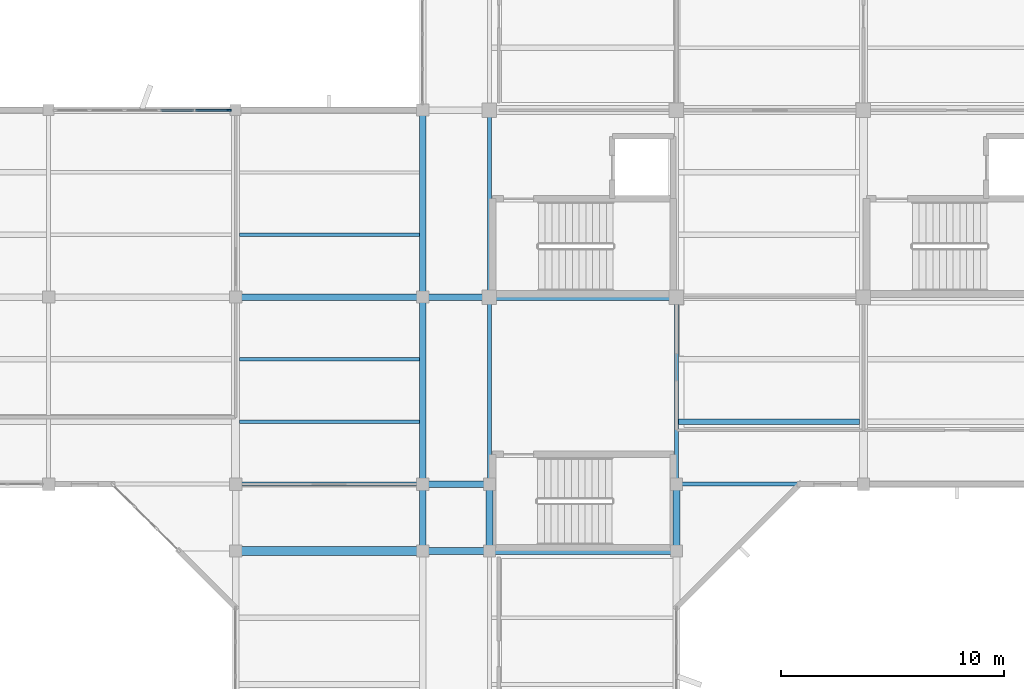
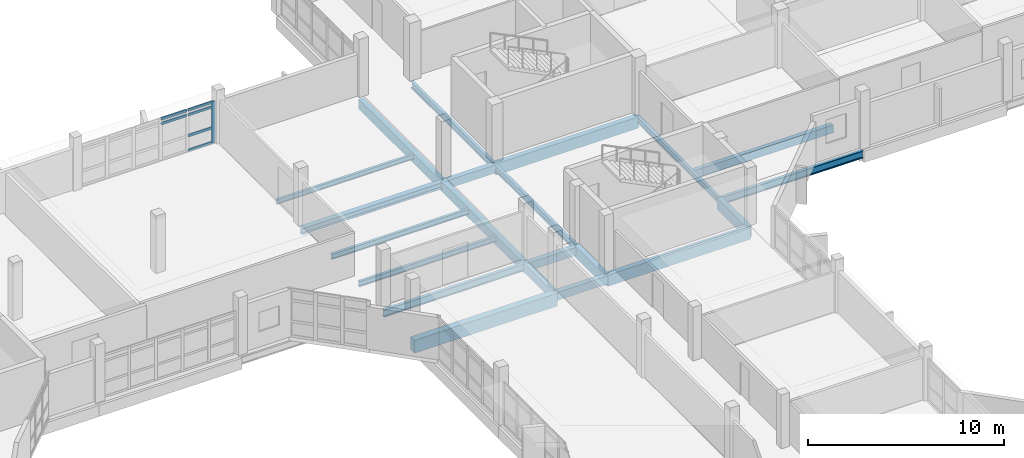
# One storey, part 18 of 51: 21 beams, 7 members, 1 element without a shape of its own.
"""IFC4 building model written with IfcOpenShell, lengths in metres."""

from ifc_helpers import new_model, si_unit, direction, frame, origin, origin_2d, place, context, subcontext, project, spatial, rectangle, i_section, extrude, material, material_profile, profile_set, type_object, element, aggregate, save


model = new_model("IFC4")

# Units and contexts
model_context = context("Model", 3, precision=1e-05, world=origin(), true_north=direction((0.0, 1.0)))
body_context = subcontext(model_context, "Body", "Model", "MODEL_VIEW")
ifc_project = project(units=[si_unit("LENGTHUNIT", "METRE"), si_unit("AREAUNIT", "SQUARE_METRE"), si_unit("VOLUMEUNIT", "CUBIC_METRE"), si_unit("PLANEANGLEUNIT", "RADIAN"), si_unit("MASSUNIT", "GRAM", prefix="KILO")], contexts=[model_context])

# Site, building, storey
site_placement = place(None, origin())
site = spatial("IfcSite", under=ifc_project, at=site_placement, CompositionType="ELEMENT")
building_placement = place(site_placement, origin())
building = spatial("IfcBuilding", under=site, at=building_placement, Name="Vanh Quang Courtyard School", CompositionType="ELEMENT")
storey_placement = place(building_placement, frame((0.0, 0.0, 11.39990234375)))
storey = spatial("IfcBuildingStorey", under=building, at=storey_placement, Name="L03", CompositionType="ELEMENT", Elevation=11.39990234375)

# Beams
ifc_material_1 = material(Name="Concrete C35/45", Category="concrete")
ifc_material_profile_1 = material_profile(ifc_material_1, rectangle(XDim=0.300048828125, YDim=0.5, at=origin_2d()), Name="RC-BM 300x500")
ifc_profile_set_1 = profile_set([ifc_material_profile_1], Name="Concrete C35/45")
beam_type_1 = type_object("IfcBeamType", Name="BM-RC-300x500", PredefinedType="BEAM", material=ifc_profile_set_1)
for number, where, z_axis, x_axis, name in (
    (1, (74.39990234375, 68.39990234375, -0.5498046875), (1.0, 0.0, 0.0), (0.0, 1.0, 0.0), "Beam B-08 (L03)"),
    (2, (74.39990234375, 71.39990234375, -0.5498046875), (1.0, 0.0, 0.0), (0.0, 1.0, 0.0), "Beam B-08 (L03)"),
    (3, (74.39990234375, 79.800048828125, -0.5498046875), (1.0, 0.0, 0.0), (0.0, 1.0, 0.0), "Beam B-08 (L03)"),
):
    element("IfcBeam", number, at=place(storey_placement, frame(where, z_axis=z_axis, x_axis=x_axis)), inside=storey, type_object=beam_type_1, Name=name, PredefinedType="BEAM", context=body_context, shape_type="SweptSolid", body=[
        extrude(rectangle(XDim=0.300048828125, YDim=0.5, at=origin_2d()), origin(), (0.0, 0.0, 1.0), 3.0),
    ])
ifc_material_profile_2 = material_profile(ifc_material_1, rectangle(XDim=0.300048828125, YDim=0.550048828125, at=origin_2d()), Name="RC-BM 300x550")
ifc_profile_set_2 = profile_set([ifc_material_profile_2], Name="Concrete C35/45")
beam_type_2 = type_object("IfcBeamType", Name="BM-RC-300x550", PredefinedType="BEAM", material=ifc_profile_set_2)
beam_1_placement = place(storey_placement, frame((74.39990234375, 68.39990234375, -0.574951171875), z_axis=(0.0, 1.0, 0.0), x_axis=(-1.0, 0.0, 0.0)))
element("IfcBeam", 4, at=beam_1_placement, inside=storey, type_object=beam_type_2, Name="Beam B-07 (L03)", PredefinedType="BEAM", context=body_context, shape_type="SweptSolid", body=[
    extrude(rectangle(XDim=0.300048828125, YDim=0.550048828125, at=origin_2d()), origin(), (0.0, 0.0, 1.0), 3.0),
])
ifc_material_profile_3 = material_profile(ifc_material_1, rectangle(XDim=0.300048828125, YDim=0.60009765625, at=origin_2d()), Name="RC-BM 300x600")
ifc_profile_set_3 = profile_set([ifc_material_profile_3], Name="Concrete C35/45")
beam_type_3 = type_object("IfcBeamType", Name="BM-RC-300x600", PredefinedType="BEAM", material=ifc_profile_set_3)
beam_2_placement = place(storey_placement, frame((74.39990234375, 71.39990234375, -0.599853515625), z_axis=(0.0, 1.0, 0.0), x_axis=(-1.0, 0.0, 0.0)))
element("IfcBeam", 5, at=beam_2_placement, inside=storey, type_object=beam_type_3, Name="Beam B-06 (L03)", PredefinedType="BEAM", context=body_context, shape_type="SweptSolid", body=[
    extrude(rectangle(XDim=0.300048828125, YDim=0.60009765625, at=origin_2d()), origin(), (0.0, 0.0, 1.0), 8.400146484375),
])
beam_3_placement = place(storey_placement, frame((74.39990234375, 79.800048828125, -0.599853515625), z_axis=(0.0, 1.0, 0.0), x_axis=(-1.0, 0.0, 0.0)))
element("IfcBeam", 6, at=beam_3_placement, inside=storey, type_object=beam_type_3, Name="Beam B-06 (L03)", PredefinedType="BEAM", context=body_context, shape_type="SweptSolid", body=[
    extrude(rectangle(XDim=0.300048828125, YDim=0.60009765625, at=origin_2d()), origin(), (0.0, 0.0, 1.0), 8.39990234375),
])
ifc_material_profile_4 = material_profile(ifc_material_1, rectangle(XDim=0.39990234375, YDim=0.800048828125, at=origin_2d()), Name="RC-BM 400x800")
ifc_profile_set_4 = profile_set([ifc_material_profile_4], Name="Concrete C35/45")
beam_type_4 = type_object("IfcBeamType", Name="BM-RC-400x800", PredefinedType="BEAM", material=ifc_profile_set_4)
beam_4_placement = place(storey_placement, frame((66.0, 68.39990234375, -0.699951171875), z_axis=(1.0, 0.0, 0.0), x_axis=(0.0, 1.0, 0.0)))
element("IfcBeam", 7, at=beam_4_placement, inside=storey, type_object=beam_type_4, Name="Beam B-02 (L03)", PredefinedType="BEAM", context=body_context, shape_type="SweptSolid", body=[
    extrude(rectangle(XDim=0.39990234375, YDim=0.800048828125, at=origin_2d()), origin(), (0.0, 0.0, 1.0), 8.39990234375),
])
ifc_material_profile_5 = material_profile(ifc_material_1, rectangle(XDim=0.300048828125, YDim=0.699951171875, at=origin_2d()), Name="RC-SP 300x700")
ifc_profile_set_5 = profile_set([ifc_material_profile_5], Name="Concrete C35/45")
beam_type_5 = type_object("IfcBeamType", Name="BM-SP-300x700", PredefinedType="SPANDREL", material=ifc_profile_set_5)
for number, where, z_axis, x_axis, name in (
    (8, (77.39990234375, 68.39990234375, -0.60986328125), (1.0, 0.0, 0.0), (0.0, 1.0, 0.0), "Beam BS-01 (L03)"),
    (9, (77.39990234375, 79.800048828125, -0.60986328125), (1.0, 0.0, 0.0), (0.0, 1.0, 0.0), "Beam BS-01 (L03)"),
):
    element("IfcBeam", number, at=place(storey_placement, frame(where, z_axis=z_axis, x_axis=x_axis)), inside=storey, type_object=beam_type_5, Name=name, PredefinedType="SPANDREL", context=body_context, shape_type="SweptSolid", body=[
        extrude(rectangle(XDim=0.300048828125, YDim=0.699951171875, at=origin_2d()), origin(), (0.0, 0.0, 1.0), 8.400146484375),
    ])
for number, where, z_axis, x_axis, name in (
    (10, (77.39990234375, 68.39990234375, -0.60986328125), (0.0, 1.0, 0.0), (-1.0, 0.0, 0.0), "Beam BS-01 (L03)"),
    (11, (85.800048828125, 68.39990234375, -0.60986328125), (0.0, 1.0, 0.0), (-1.0, 0.0, 0.0), "Beam BS-01 (L03)"),
):
    element("IfcBeam", number, at=place(storey_placement, frame(where, z_axis=z_axis, x_axis=x_axis)), inside=storey, type_object=beam_type_5, Name=name, PredefinedType="SPANDREL", context=body_context, shape_type="SweptSolid", body=[
        extrude(rectangle(XDim=0.300048828125, YDim=0.699951171875, at=origin_2d()), origin(), (0.0, 0.0, 1.0), 3.0),
    ])
ifc_material_2 = material(Name="Structural steel EN 10025-2 S355J2", Category="steel")
ifc_material_profile_6 = material_profile(ifc_material_2, i_section(OverallWidth=0.300048828125, OverallDepth=0.389892578125, WebThickness=0.010986328125, FlangeThickness=0.01904296875, FilletRadius=0.027099609375, at=origin_2d()), Name="HEA 400")
ifc_profile_set_6 = profile_set([ifc_material_profile_6], Name="Structural steel EN 10025-2 S355J2")
beam_type_6 = type_object("IfcBeamType", Name="BM-STL-HEA400", PredefinedType="BEAM", material=ifc_profile_set_6)
beam_5_placement = place(storey_placement, frame((66.0, 79.800048828125, -0.494873046875), z_axis=(1.0, 0.0, 0.0), x_axis=(0.0, 1.0, 0.0)))
element("IfcBeam", 12, at=beam_5_placement, inside=storey, type_object=beam_type_6, Name="Beam SB-08 (L03)", PredefinedType="BEAM", context=body_context, shape_type="SweptSolid", body=[
    extrude(i_section(OverallWidth=0.300048828125, OverallDepth=0.389892578125, WebThickness=0.010986328125, FlangeThickness=0.01904296875, FilletRadius=0.027099609375, at=origin_2d()), origin(), (0.0, 0.0, 1.0), 8.39990234375),
])
ifc_material_profile_7 = material_profile(ifc_material_2, i_section(OverallWidth=0.169921875, OverallDepth=0.360107421875, WebThickness=0.008056640625, FlangeThickness=0.0126953125, FilletRadius=0.01806640625, at=origin_2d()), Name="IPE 360")
ifc_profile_set_7 = profile_set([ifc_material_profile_7], Name="Structural steel EN 10025-2 S355J2")
beam_type_7 = type_object("IfcBeamType", Name="BM-STL-IPE360", PredefinedType="BEAM", material=ifc_profile_set_7)
beam_6_placement = place(storey_placement, frame((85.800048828125, 71.39990234375, -0.43994140625), z_axis=(0.0, 1.0, 0.0), x_axis=(-1.0, 0.0, 0.0)))
element("IfcBeam", 13, at=beam_6_placement, inside=storey, type_object=beam_type_7, Name="Beam SB-06 (L03)", PredefinedType="BEAM", context=body_context, shape_type="SweptSolid", body=[
    extrude(i_section(OverallWidth=0.169921875, OverallDepth=0.360107421875, WebThickness=0.008056640625, FlangeThickness=0.0126953125, FilletRadius=0.01806640625, at=origin_2d()), origin(), (0.0, 0.0, 1.0), 8.400146484375),
])
ifc_material_profile_8 = material_profile(ifc_material_2, i_section(OverallWidth=0.179931640625, OverallDepth=0.39990234375, WebThickness=0.008544921875, FlangeThickness=0.013427734375, FilletRadius=0.02099609375, at=origin_2d()), Name="IPE 400")
ifc_profile_set_8 = profile_set([ifc_material_profile_8], Name="Structural steel EN 10025-2 S355J2")
beam_type_8 = type_object("IfcBeamType", Name="BM-STL-IPE400", PredefinedType="BEAM", material=ifc_profile_set_8)
beam_7_placement = place(storey_placement, frame((77.39990234375, 71.39990234375, -0.4599609375), z_axis=(0.0, 1.0, 0.0), x_axis=(-1.0, 0.0, 0.0)))
element("IfcBeam", 14, at=beam_7_placement, inside=storey, type_object=beam_type_8, Name="Beam SB-05 (L03)", PredefinedType="BEAM", context=body_context, shape_type="SweptSolid", body=[
    extrude(i_section(OverallWidth=0.179931640625, OverallDepth=0.39990234375, WebThickness=0.008544921875, FlangeThickness=0.013427734375, FilletRadius=0.02099609375, at=origin_2d()), origin(), (0.0, 0.0, 1.0), 8.400146484375),
])
beam_8_placement = place(storey_placement, frame((77.39990234375, 79.800048828125, -0.4599609375), z_axis=(0.0, 1.0, 0.0), x_axis=(-1.0, 0.0, 0.0)))
element("IfcBeam", 15, at=beam_8_placement, inside=storey, type_object=beam_type_8, Name="Beam SB-05 (L03)", PredefinedType="BEAM", context=body_context, shape_type="SweptSolid", body=[
    extrude(i_section(OverallWidth=0.179931640625, OverallDepth=0.39990234375, WebThickness=0.008544921875, FlangeThickness=0.013427734375, FilletRadius=0.02099609375, at=origin_2d()), origin(), (0.0, 0.0, 1.0), 8.39990234375),
])
ifc_material_profile_9 = material_profile(ifc_material_2, i_section(OverallWidth=0.18994140625, OverallDepth=0.449951171875, WebThickness=0.009521484375, FlangeThickness=0.0146484375, FilletRadius=0.02099609375, at=origin_2d()), Name="IPE 450")
ifc_profile_set_9 = profile_set([ifc_material_profile_9], Name="Structural steel EN 10025-2 S355J2")
beam_type_9 = type_object("IfcBeamType", Name="BM-STL-IPE450", PredefinedType="BEAM", material=ifc_profile_set_9)
for number, where, z_axis, x_axis, name in (
    (16, (66.0, 71.39990234375, -0.52490234375), (1.0, 0.0, 0.0), (0.0, 1.0, 0.0), "Beam SB-04 (L03)"),
    (17, (85.800048828125, 71.39990234375, -0.48486328125), (1.0, 0.0, 0.0), (0.0, 1.0, 0.0), "Beam SB-04 (L03)"),
):
    element("IfcBeam", number, at=place(storey_placement, frame(where, z_axis=z_axis, x_axis=x_axis)), inside=storey, type_object=beam_type_9, Name=name, PredefinedType="BEAM", context=body_context, shape_type="SweptSolid", body=[
        extrude(i_section(OverallWidth=0.18994140625, OverallDepth=0.449951171875, WebThickness=0.009521484375, FlangeThickness=0.0146484375, FilletRadius=0.02099609375, at=origin_2d()), origin(), (0.0, 0.0, 1.0), 8.39990234375),
    ])

# Curtain wall, members
ifc_material_3 = material(Name="Thermally broken aluminium unitised curtain wall", Category="aluminium")
curtain_wall_type = type_object("IfcCurtainWallType", Name="CW-SYS-19", PredefinedType="NOTDEFINED", material=ifc_material_3)
curtain_wall_placement = place(storey_placement, origin())
curtain_wall = element("IfcCurtainWall", 18, at=curtain_wall_placement, inside=storey, type_object=curtain_wall_type, Name="Curtain Wall CW-19 (L03)", PredefinedType="NOTDEFINED")
ifc_material_4 = material(Name="Anodised aluminium 6063-T6", Category="aluminium")
ifc_material_profile_10 = material_profile(ifc_material_4, rectangle(XDim=0.080078125, YDim=0.199951171875, at=origin_2d()), Name="ALU-MUL 80x200")
ifc_profile_set_10 = profile_set([ifc_material_profile_10], Name="Anodised aluminium 6063-T6")
member_type_1 = type_object("IfcMemberType", Name="CW-MUL-80x200", PredefinedType="MULLION", material=ifc_profile_set_10)
member_1_placement = place(storey_placement, frame((65.701904296875, 88.199951171875, 0.0), z_axis=(0.0, 0.0, 1.0), x_axis=(0.0, 1.0, 0.0)))
member_1 = element("IfcMember", 19, at=member_1_placement, type_object=member_type_1, Name="CW-19 mullion 6", PredefinedType="MULLION", context=body_context, shape_type="SweptSolid", body=[
    extrude(rectangle(XDim=0.080078125, YDim=0.199951171875, at=origin_2d()), origin(), (0.0, 0.0, 1.0), 2.580078125),
])
ifc_material_profile_11 = material_profile(ifc_material_4, rectangle(XDim=0.080078125, YDim=0.14990234375, at=origin_2d()), Name="ALU-TRN 80x150")
ifc_profile_set_11 = profile_set([ifc_material_profile_11], Name="Anodised aluminium 6063-T6")
member_type_2 = type_object("IfcMemberType", Name="CW-TRN-80x150", PredefinedType="USERDEFINED", material=ifc_profile_set_11)
member_2_placement = place(storey_placement, frame((62.62841796875, 88.199951171875, 2.25), z_axis=(1.0, 0.0, 0.0), x_axis=(0.0, 1.0, 0.0)))
member_2 = element("IfcMember", 20, at=member_2_placement, type_object=member_type_2, Name="CW-19 transom 4.3", ObjectType="TRANSOM", PredefinedType="USERDEFINED", context=body_context, shape_type="SweptSolid", body=[
    extrude(rectangle(XDim=0.080078125, YDim=0.14990234375, at=origin_2d()), origin(), (0.0, 0.0, 1.0), 1.496826171875),
])
member_3_placement = place(storey_placement, frame((62.62841796875, 88.199951171875, 2.5400390625), z_axis=(1.0, 0.0, 0.0), x_axis=(0.0, 1.0, 0.0)))
member_3 = element("IfcMember", 21, at=member_3_placement, type_object=member_type_2, Name="CW-19 transom 4.4", ObjectType="TRANSOM", PredefinedType="USERDEFINED", context=body_context, shape_type="SweptSolid", body=[
    extrude(rectangle(XDim=0.080078125, YDim=0.14990234375, at=origin_2d()), origin(), (0.0, 0.0, 1.0), 1.496826171875),
])
member_4_placement = place(storey_placement, frame((64.205078125, 88.199951171875, 0.0400390625), z_axis=(1.0, 0.0, 0.0), x_axis=(0.0, 1.0, 0.0)))
member_4 = element("IfcMember", 22, at=member_4_placement, type_object=member_type_2, Name="CW-19 transom 5.1", ObjectType="TRANSOM", PredefinedType="USERDEFINED", context=body_context, shape_type="SweptSolid", body=[
    extrude(rectangle(XDim=0.080078125, YDim=0.14990234375, at=origin_2d()), origin(), (0.0, 0.0, 1.0), 1.45703125),
])
member_5_placement = place(storey_placement, frame((64.205078125, 88.199951171875, 0.9501953125), z_axis=(1.0, 0.0, 0.0), x_axis=(0.0, 1.0, 0.0)))
member_5 = element("IfcMember", 23, at=member_5_placement, type_object=member_type_2, Name="CW-19 transom 5.2", ObjectType="TRANSOM", PredefinedType="USERDEFINED", context=body_context, shape_type="SweptSolid", body=[
    extrude(rectangle(XDim=0.080078125, YDim=0.14990234375, at=origin_2d()), origin(), (0.0, 0.0, 1.0), 1.45703125),
])
member_6_placement = place(storey_placement, frame((64.205078125, 88.199951171875, 2.25), z_axis=(1.0, 0.0, 0.0), x_axis=(0.0, 1.0, 0.0)))
member_6 = element("IfcMember", 24, at=member_6_placement, type_object=member_type_2, Name="CW-19 transom 5.3", ObjectType="TRANSOM", PredefinedType="USERDEFINED", context=body_context, shape_type="SweptSolid", body=[
    extrude(rectangle(XDim=0.080078125, YDim=0.14990234375, at=origin_2d()), origin(), (0.0, 0.0, 1.0), 1.45703125),
])
member_7_placement = place(storey_placement, frame((64.205078125, 88.199951171875, 2.5400390625), z_axis=(1.0, 0.0, 0.0), x_axis=(0.0, 1.0, 0.0)))
member_7 = element("IfcMember", 25, at=member_7_placement, type_object=member_type_2, Name="CW-19 transom 5.4", ObjectType="TRANSOM", PredefinedType="USERDEFINED", context=body_context, shape_type="SweptSolid", body=[
    extrude(rectangle(XDim=0.080078125, YDim=0.14990234375, at=origin_2d()), origin(), (0.0, 0.0, 1.0), 1.45703125),
])
aggregate(curtain_wall, [member_1, member_2, member_3, member_4, member_5, member_6, member_7])

# Beams
ifc_material_5 = material(Name="Concrete C30/37", Category="concrete")
ifc_material_profile_12 = material_profile(ifc_material_5, rectangle(XDim=0.25, YDim=0.5, at=origin_2d()), Name="RC-JST 250x500")
ifc_profile_set_12 = profile_set([ifc_material_profile_12], Name="Concrete C30/37")
beam_type_10 = type_object("IfcBeamType", Name="JST-RC-250x500", PredefinedType="JOIST", material=ifc_profile_set_12)
beam_9_placement = place(storey_placement, frame((85.885009765625, 74.199951171875, -0.510009765625), z_axis=(1.0, 0.0, 0.0), x_axis=(0.0, 1.0, 0.0)))
element("IfcBeam", 26, at=beam_9_placement, inside=storey, type_object=beam_type_10, Name="Beam BJ-01 (L03)", PredefinedType="JOIST", context=body_context, shape_type="SweptSolid", body=[
    extrude(rectangle(XDim=0.25, YDim=0.5, at=origin_2d()), origin(), (0.0, 0.0, 1.0), 8.139892578125),
])
ifc_material_profile_13 = material_profile(ifc_material_2, i_section(OverallWidth=0.14990234375, OverallDepth=0.300048828125, WebThickness=0.007080078125, FlangeThickness=0.0107421875, FilletRadius=0.014892578125, at=origin_2d()), Name="IPE 300")
ifc_profile_set_13 = profile_set([ifc_material_profile_13], Name="Structural steel EN 10025-2 S355J2")
beam_type_11 = type_object("IfcBeamType", Name="JST-STL-IPE300", PredefinedType="JOIST", material=ifc_profile_set_13)
beam_10_placement = place(storey_placement, frame((66.175048828125, 82.60009765625, -0.449951171875), z_axis=(1.0, 0.0, 0.0), x_axis=(0.0, 1.0, 0.0)))
element("IfcBeam", 27, at=beam_10_placement, inside=storey, type_object=beam_type_11, Name="Beam SJ-02 (L03)", PredefinedType="JOIST", context=body_context, shape_type="SweptSolid", body=[
    extrude(i_section(OverallWidth=0.14990234375, OverallDepth=0.300048828125, WebThickness=0.007080078125, FlangeThickness=0.0107421875, FilletRadius=0.014892578125, at=origin_2d()), origin(), (0.0, 0.0, 1.0), 8.074951171875),
])
ifc_material_profile_14 = material_profile(ifc_material_2, i_section(OverallWidth=0.159912109375, OverallDepth=0.330078125, WebThickness=0.007568359375, FlangeThickness=0.011474609375, FilletRadius=0.01806640625, at=origin_2d()), Name="IPE 330")
ifc_profile_set_14 = profile_set([ifc_material_profile_14], Name="Structural steel EN 10025-2 S355J2")
beam_type_12 = type_object("IfcBeamType", Name="JST-STL-IPE330", PredefinedType="JOIST", material=ifc_profile_set_14)
for number, where, z_axis, x_axis, name in (
    (28, (66.175048828125, 74.199951171875, -0.46484375), (1.0, 0.0, 0.0), (0.0, 1.0, 0.0), "Beam SJ-01 (L03)"),
    (29, (66.175048828125, 77.0, -0.46484375), (1.0, 0.0, 0.0), (0.0, 1.0, 0.0), "Beam SJ-01 (L03)"),
):
    element("IfcBeam", number, at=place(storey_placement, frame(where, z_axis=z_axis, x_axis=x_axis)), inside=storey, type_object=beam_type_12, Name=name, PredefinedType="JOIST", context=body_context, shape_type="SweptSolid", body=[
        extrude(i_section(OverallWidth=0.159912109375, OverallDepth=0.330078125, WebThickness=0.007568359375, FlangeThickness=0.011474609375, FilletRadius=0.01806640625, at=origin_2d()), origin(), (0.0, 0.0, 1.0), 8.074951171875),
    ])

save(model, "model.ifc")
